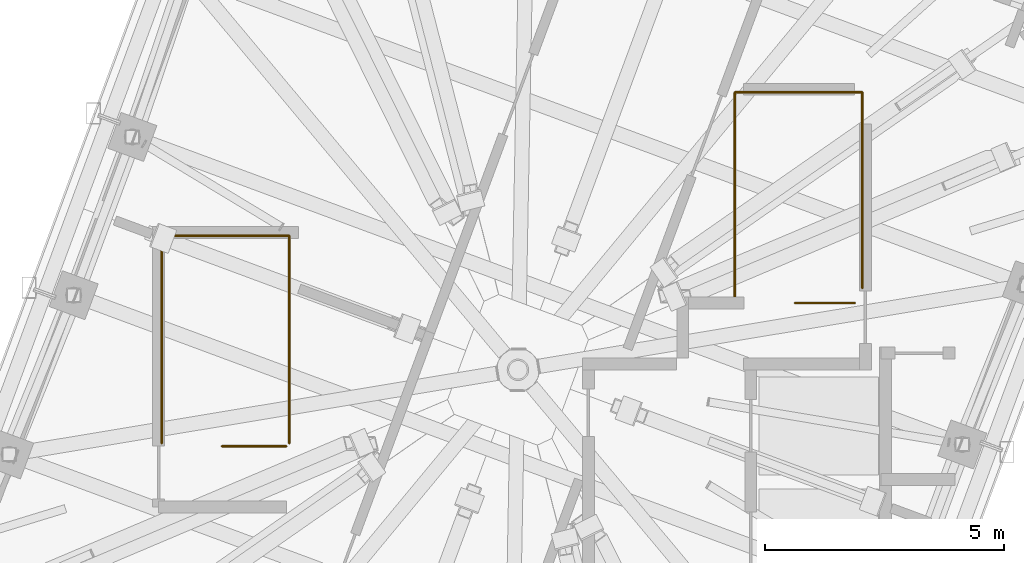
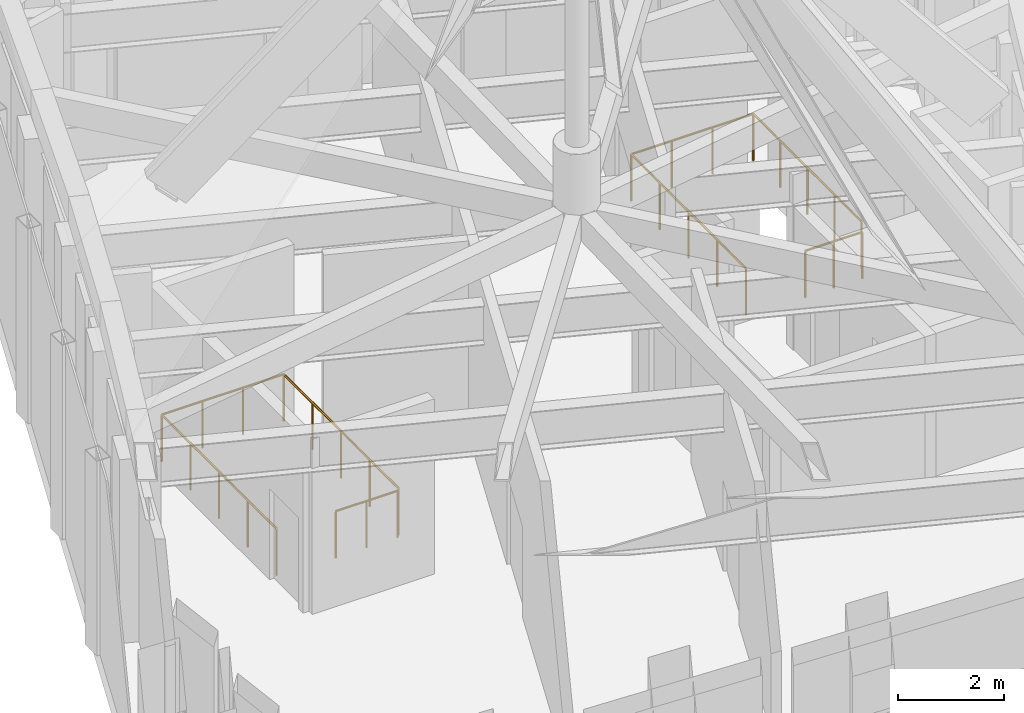
# One storey, part 13 of 14: 4 railings.
"""IFC4 building model written with IfcOpenShell, lengths in metres."""

from ifc_helpers import new_model, si_unit, direction, frame, origin, origin_2d, place, context, subcontext, project, spatial, circle, extrude, material, type_object, element, save


model = new_model("IFC4")

# Units and contexts
model_context = context("Model", 3, precision=1e-05, world=origin(), true_north=direction((0.0, 1.0)))
body_context = subcontext(model_context, "Body", "Model", "MODEL_VIEW")
ifc_project = project(units=[si_unit("LENGTHUNIT", "METRE"), si_unit("AREAUNIT", "SQUARE_METRE"), si_unit("VOLUMEUNIT", "CUBIC_METRE"), si_unit("PLANEANGLEUNIT", "RADIAN"), si_unit("MASSUNIT", "GRAM", prefix="KILO")], contexts=[model_context])

# Site, building, storey
site_placement = place(None, origin())
site = spatial("IfcSite", under=ifc_project, at=site_placement, CompositionType="ELEMENT")
building_placement = place(site_placement, origin())
building = spatial("IfcBuilding", under=site, at=building_placement, Name="Cantera Rosa Tower", CompositionType="ELEMENT")
storey_placement = place(building_placement, frame((0.0, 0.0, 374.199951171875)))
storey = spatial("IfcBuildingStorey", under=building, at=storey_placement, Name="L84", CompositionType="ELEMENT", Elevation=374.199951171875)

# Railings
ifc_material = material(Name="Steel S355J2 (EN 10025-2)", Category="steel")
railing_type = type_object("IfcRailingType", Name="STAIR GUARD 1100", PredefinedType="GUARDRAIL", material=ifc_material)
railing_1_placement = place(storey_placement, frame((-4.85009765625, -1.60009765625, 0.0)))
element("IfcRailing", 1, at=railing_1_placement, inside=storey, type_object=railing_type, Name="L84 ST-71 top well guard 1", PredefinedType="GUARDRAIL", context=body_context, shape_type="SweptSolid", body=[
    extrude(circle(Radius=0.02392578125, at=origin_2d()), frame((0.0, 0.0, 1.076171875), z_axis=(-1.0, 0.0, 0.0), x_axis=(0.0, -1.0, 0.0)), (0.0, 0.0, 1.0), 1.349853515625),
    extrude(circle(Radius=0.02099609375, at=origin_2d()), origin(), (0.0, 0.0, 1.0), 1.052001953125),
    extrude(circle(Radius=0.02099609375, at=origin_2d()), frame((-0.6748046875, 0.0, 0.0)), (0.0, 0.0, 1.0), 1.052001953125),
    extrude(circle(Radius=0.02099609375, at=origin_2d()), frame((-1.349853515625, 0.0, 0.0)), (0.0, 0.0, 1.0), 1.052001953125),
])
railing_2_placement = place(storey_placement, frame((-4.7900390625, -1.5380859375, 0.0)))
element("IfcRailing", 2, at=railing_2_placement, inside=storey, type_object=railing_type, Name="L84 ST-71 top well guard 2", PredefinedType="GUARDRAIL", context=body_context, shape_type="SweptSolid", body=[
    extrude(circle(Radius=0.02392578125, at=origin_2d()), frame((0.0, 0.0, 1.076171875), z_axis=(0.0, 1.0, 0.0), x_axis=(-1.0, 0.0, 0.0)), (0.0, 0.0, 1.0), 4.34814453125),
    extrude(circle(Radius=0.02392578125, at=origin_2d()), frame((0.0, 4.34814453125, 1.076171875), z_axis=(-1.0, 0.0, 0.0), x_axis=(0.0, -1.0, 0.0)), (0.0, 0.0, 1.0), 2.669921875),
    extrude(circle(Radius=0.02392578125, at=origin_2d()), frame((-2.669921875, 4.34814453125, 1.076171875), z_axis=(0.0, -1.0, 0.0), x_axis=(1.0, 0.0, 0.0)), (0.0, 0.0, 1.0), 4.34814453125),
    extrude(circle(Radius=0.02099609375, at=origin_2d()), origin(), (0.0, 0.0, 1.0), 1.052001953125),
    extrude(circle(Radius=0.02099609375, at=origin_2d()), frame((0.0, 1.0869140625, 0.0)), (0.0, 0.0, 1.0), 1.052001953125),
    extrude(circle(Radius=0.02099609375, at=origin_2d()), frame((0.0, 2.174072265625, 0.0)), (0.0, 0.0, 1.0), 1.052001953125),
    extrude(circle(Radius=0.02099609375, at=origin_2d()), frame((0.0, 3.26123046875, 0.0)), (0.0, 0.0, 1.0), 1.052001953125),
    extrude(circle(Radius=0.02099609375, at=origin_2d()), frame((0.0, 4.34814453125, 0.0)), (0.0, 0.0, 1.0), 1.052001953125),
    extrude(circle(Radius=0.02099609375, at=origin_2d()), frame((-0.889892578125, 4.34814453125, 0.0)), (0.0, 0.0, 1.0), 1.052001953125),
    extrude(circle(Radius=0.02099609375, at=origin_2d()), frame((-1.780029296875, 4.34814453125, 0.0)), (0.0, 0.0, 1.0), 1.052001953125),
    extrude(circle(Radius=0.02099609375, at=origin_2d()), frame((-2.669921875, 4.34814453125, 0.0)), (0.0, 0.0, 1.0), 1.052001953125),
    extrude(circle(Radius=0.02099609375, at=origin_2d()), frame((-2.669921875, 3.26123046875, 0.0)), (0.0, 0.0, 1.0), 1.052001953125),
    extrude(circle(Radius=0.02099609375, at=origin_2d()), frame((-2.669921875, 2.174072265625, 0.0)), (0.0, 0.0, 1.0), 1.052001953125),
    extrude(circle(Radius=0.02099609375, at=origin_2d()), frame((-2.669921875, 1.0869140625, 0.0)), (0.0, 0.0, 1.0), 1.052001953125),
    extrude(circle(Radius=0.02099609375, at=origin_2d()), frame((-2.669921875, 0.0, 0.0)), (0.0, 0.0, 1.0), 1.052001953125),
])
railing_3_placement = place(storey_placement, frame((7.050048828125, 1.39990234375, 0.0)))
element("IfcRailing", 3, at=railing_3_placement, inside=storey, type_object=railing_type, Name="L84 ST-72 top well guard 1", PredefinedType="GUARDRAIL", context=body_context, shape_type="SweptSolid", body=[
    extrude(circle(Radius=0.02392578125, at=origin_2d()), frame((0.0, 0.0, 1.076171875), z_axis=(-1.0, 0.0, 0.0), x_axis=(0.0, -1.0, 0.0)), (0.0, 0.0, 1.0), 1.25),
    extrude(circle(Radius=0.02099609375, at=origin_2d()), origin(), (0.0, 0.0, 1.0), 1.052001953125),
    extrude(circle(Radius=0.02099609375, at=origin_2d()), frame((-0.625, 0.0, 0.0)), (0.0, 0.0, 1.0), 1.052001953125),
    extrude(circle(Radius=0.02099609375, at=origin_2d()), frame((-1.25, 0.0, 0.0)), (0.0, 0.0, 1.0), 1.052001953125),
])
railing_4_placement = place(storey_placement, frame((7.2099609375, 1.7099609375, 0.0)))
element("IfcRailing", 4, at=railing_4_placement, inside=storey, type_object=railing_type, Name="L84 ST-72 top well guard 2", PredefinedType="GUARDRAIL", context=body_context, shape_type="SweptSolid", body=[
    extrude(circle(Radius=0.02392578125, at=origin_2d()), frame((0.0, 0.0, 1.076171875), z_axis=(0.0, 1.0, 0.0), x_axis=(-1.0, 0.0, 0.0)), (0.0, 0.0, 1.0), 4.10009765625),
    extrude(circle(Radius=0.02392578125, at=origin_2d()), frame((0.0, 4.10009765625, 1.076171875), z_axis=(-1.0, 0.0, 0.0), x_axis=(0.0, -1.0, 0.0)), (0.0, 0.0, 1.0), 2.669921875),
    extrude(circle(Radius=0.02392578125, at=origin_2d()), frame((-2.669921875, 4.10009765625, 1.076171875), z_axis=(0.0, -1.0, 0.0), x_axis=(1.0, 0.0, 0.0)), (0.0, 0.0, 1.0), 4.34814453125),
    extrude(circle(Radius=0.02099609375, at=origin_2d()), origin(), (0.0, 0.0, 1.0), 1.052001953125),
    extrude(circle(Radius=0.02099609375, at=origin_2d()), frame((0.0, 1.02490234375, 0.0)), (0.0, 0.0, 1.0), 1.052001953125),
    extrude(circle(Radius=0.02099609375, at=origin_2d()), frame((0.0, 2.050048828125, 0.0)), (0.0, 0.0, 1.0), 1.052001953125),
    extrude(circle(Radius=0.02099609375, at=origin_2d()), frame((0.0, 3.0751953125, 0.0)), (0.0, 0.0, 1.0), 1.052001953125),
    extrude(circle(Radius=0.02099609375, at=origin_2d()), frame((0.0, 4.10009765625, 0.0)), (0.0, 0.0, 1.0), 1.052001953125),
    extrude(circle(Radius=0.02099609375, at=origin_2d()), frame((-0.889892578125, 4.10009765625, 0.0)), (0.0, 0.0, 1.0), 1.052001953125),
    extrude(circle(Radius=0.02099609375, at=origin_2d()), frame((-1.780029296875, 4.10009765625, 0.0)), (0.0, 0.0, 1.0), 1.052001953125),
    extrude(circle(Radius=0.02099609375, at=origin_2d()), frame((-2.669921875, 4.10009765625, 0.0)), (0.0, 0.0, 1.0), 1.052001953125),
    extrude(circle(Radius=0.02099609375, at=origin_2d()), frame((-2.669921875, 3.01318359375, 0.0)), (0.0, 0.0, 1.0), 1.052001953125),
    extrude(circle(Radius=0.02099609375, at=origin_2d()), frame((-2.669921875, 1.926025390625, 0.0)), (0.0, 0.0, 1.0), 1.052001953125),
    extrude(circle(Radius=0.02099609375, at=origin_2d()), frame((-2.669921875, 0.8388671875, 0.0)), (0.0, 0.0, 1.0), 1.052001953125),
    extrude(circle(Radius=0.02099609375, at=origin_2d()), frame((-2.669921875, -0.248046875, 0.0)), (0.0, 0.0, 1.0), 1.052001953125),
])

save(model, "model.ifc")
